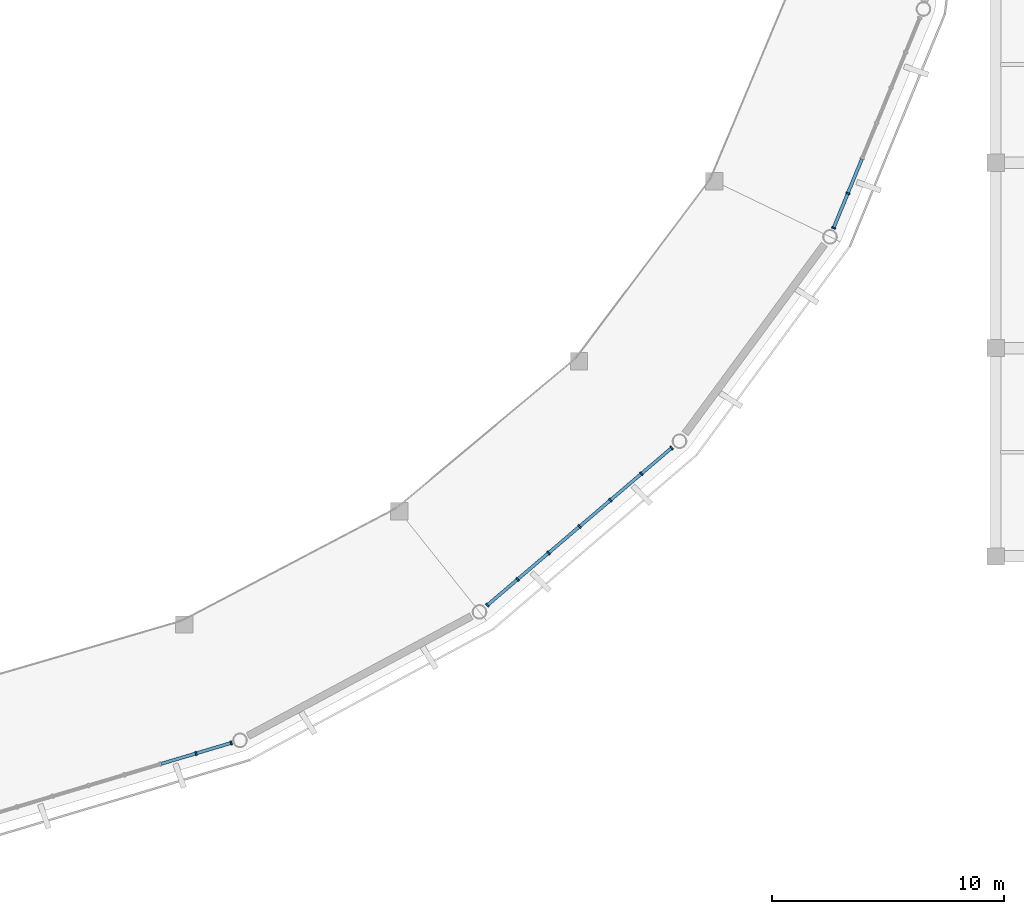
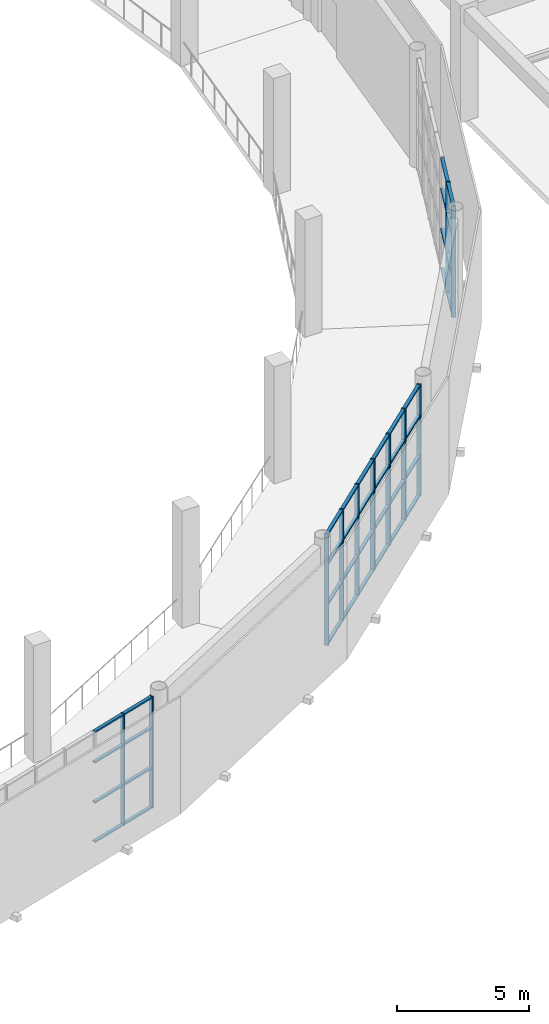
# One storey, part 14 of 40: 51 members, 3 elements without a shape of their own.
"""IFC4 building model written with IfcOpenShell, lengths in metres."""

from ifc_helpers import new_model, si_unit, direction, frame, origin, origin_2d, place, context, subcontext, project, spatial, rectangle, extrude, material, material_profile, profile_set, type_object, element, aggregate, save


model = new_model("IFC4")

# Units and contexts
model_context = context("Model", 3, precision=1e-05, world=origin(), true_north=direction((0.0, 1.0)))
body_context = subcontext(model_context, "Body", "Model", "MODEL_VIEW")
ifc_project = project(units=[si_unit("LENGTHUNIT", "METRE"), si_unit("AREAUNIT", "SQUARE_METRE"), si_unit("VOLUMEUNIT", "CUBIC_METRE"), si_unit("PLANEANGLEUNIT", "RADIAN"), si_unit("MASSUNIT", "GRAM", prefix="KILO")], contexts=[model_context])

# Site, building, storey
site_placement = place(None, origin())
site = spatial("IfcSite", under=ifc_project, at=site_placement, CompositionType="ELEMENT")
building_placement = place(site_placement, origin())
building = spatial("IfcBuilding", under=site, at=building_placement, Name="Cuetzalor Civic Arena", CompositionType="ELEMENT")
storey_placement = place(building_placement, frame((0.0, 0.0, 26.39990234375)))
storey = spatial("IfcBuildingStorey", under=building, at=storey_placement, Name="L05", CompositionType="ELEMENT", Elevation=26.39990234375)

# Curtain wall, members
ifc_material_1 = material(Name="Anodised dark bronze aluminium and low-E solar glass", Category="aluminium")
curtain_wall_type_1 = type_object("IfcCurtainWallType", Name="UnitisedCW_11300x5150", PredefinedType="USERDEFINED", material=ifc_material_1)
curtain_wall_1_placement = place(storey_placement, origin())
curtain_wall_1 = element("IfcCurtainWall", 1, at=curtain_wall_1_placement, inside=storey, type_object=curtain_wall_type_1, Name="Drum Triangle Foyer Curtain Wall L05-078", ObjectType="UNITISED CURTAIN WALL", PredefinedType="USERDEFINED")
ifc_material_2 = material(Name="Anodised dark bronze aluminium", Category="aluminium")
ifc_material_profile_1 = material_profile(ifc_material_2, rectangle(XDim=0.070068359375, YDim=0.179931640625, at=origin_2d()), Name="ALU MULLION 70x180")
ifc_profile_set_1 = profile_set([ifc_material_profile_1], Name="Anodised dark bronze aluminium")
member_type_1 = type_object("IfcMemberType", Name="CurtainWallMullion_65x180", PredefinedType="MULLION", material=ifc_profile_set_1)
member_1_placement = place(storey_placement, frame((23.28857421875, -42.053466796875, 0.0), z_axis=(0.0, 0.0, 1.0), x_axis=(-0.958193690548, -0.286120344251, 0.0)))
member_1 = element("IfcMember", 2, at=member_1_placement, type_object=member_type_1, Name="CW-21 mullion 1", PredefinedType="MULLION", context=body_context, shape_type="SweptSolid", body=[
    extrude(rectangle(XDim=0.070068359375, YDim=0.179931640625, at=origin_2d()), origin(), (0.0, 0.0, 1.0), 5.135986328125),
])
member_2_placement = place(storey_placement, frame((21.77392578125, -42.505859375, 0.0), z_axis=(0.0, 0.0, 1.0), x_axis=(-0.958193690548, -0.286120344251, 0.0)))
member_2 = element("IfcMember", 3, at=member_2_placement, type_object=member_type_1, Name="CW-21 mullion 2", PredefinedType="MULLION", context=body_context, shape_type="SweptSolid", body=[
    extrude(rectangle(XDim=0.070068359375, YDim=0.179931640625, at=origin_2d()), origin(), (0.0, 0.0, 1.0), 5.135986328125),
])

ifc_material_3 = material(Name="Anodised dark bronze aluminium and low-E solar glass", Category="aluminium")
curtain_wall_type_2 = type_object("IfcCurtainWallType", Name="UnitisedCW_10550x5150", PredefinedType="USERDEFINED", material=ifc_material_3)
curtain_wall_2_placement = place(storey_placement, origin())
curtain_wall_2 = element("IfcCurtainWall", 4, at=curtain_wall_2_placement, inside=storey, type_object=curtain_wall_type_2, Name="Drum Triangle Foyer Curtain Wall L05-079", ObjectType="UNITISED CURTAIN WALL", PredefinedType="USERDEFINED")
member_3_placement = place(storey_placement, frame((42.308837890625, -29.313720703125, 0.0), z_axis=(0.0, 0.0, 1.0), x_axis=(-0.760677142663, -0.64913040649, 0.0)))
member_3 = element("IfcMember", 5, at=member_3_placement, type_object=member_type_1, Name="CW-22 mullion 1", PredefinedType="MULLION", context=body_context, shape_type="SweptSolid", body=[
    extrude(rectangle(XDim=0.070068359375, YDim=0.179931640625, at=origin_2d()), origin(), (0.0, 0.0, 1.0), 5.135986328125),
])
member_4_placement = place(storey_placement, frame((41.00048828125, -30.43017578125, 0.0), z_axis=(0.0, 0.0, 1.0), x_axis=(-0.760677142663, -0.64913040649, 0.0)))
member_4 = element("IfcMember", 6, at=member_4_placement, type_object=member_type_1, Name="CW-22 mullion 2", PredefinedType="MULLION", context=body_context, shape_type="SweptSolid", body=[
    extrude(rectangle(XDim=0.070068359375, YDim=0.179931640625, at=origin_2d()), origin(), (0.0, 0.0, 1.0), 5.135986328125),
])
member_5_placement = place(storey_placement, frame((39.665283203125, -31.569580078125, 0.0), z_axis=(0.0, 0.0, 1.0), x_axis=(-0.760677142663, -0.64913040649, 0.0)))
member_5 = element("IfcMember", 7, at=member_5_placement, type_object=member_type_1, Name="CW-22 mullion 3", PredefinedType="MULLION", context=body_context, shape_type="SweptSolid", body=[
    extrude(rectangle(XDim=0.070068359375, YDim=0.179931640625, at=origin_2d()), origin(), (0.0, 0.0, 1.0), 5.135986328125),
])
member_6_placement = place(storey_placement, frame((38.330078125, -32.708984375, 0.0), z_axis=(0.0, 0.0, 1.0), x_axis=(-0.760677142663, -0.64913040649, 0.0)))
member_6 = element("IfcMember", 8, at=member_6_placement, type_object=member_type_1, Name="CW-22 mullion 4", PredefinedType="MULLION", context=body_context, shape_type="SweptSolid", body=[
    extrude(rectangle(XDim=0.070068359375, YDim=0.179931640625, at=origin_2d()), origin(), (0.0, 0.0, 1.0), 5.135986328125),
])
member_7_placement = place(storey_placement, frame((36.9951171875, -33.84814453125, 0.0), z_axis=(0.0, 0.0, 1.0), x_axis=(-0.760677142663, -0.64913040649, 0.0)))
member_7 = element("IfcMember", 9, at=member_7_placement, type_object=member_type_1, Name="CW-22 mullion 5", PredefinedType="MULLION", context=body_context, shape_type="SweptSolid", body=[
    extrude(rectangle(XDim=0.070068359375, YDim=0.179931640625, at=origin_2d()), origin(), (0.0, 0.0, 1.0), 5.135986328125),
])
member_8_placement = place(storey_placement, frame((35.659912109375, -34.987548828125, 0.0), z_axis=(0.0, 0.0, 1.0), x_axis=(-0.760677142663, -0.64913040649, 0.0)))
member_8 = element("IfcMember", 10, at=member_8_placement, type_object=member_type_1, Name="CW-22 mullion 6", PredefinedType="MULLION", context=body_context, shape_type="SweptSolid", body=[
    extrude(rectangle(XDim=0.070068359375, YDim=0.179931640625, at=origin_2d()), origin(), (0.0, 0.0, 1.0), 5.135986328125),
])
member_9_placement = place(storey_placement, frame((34.351318359375, -36.104248046875, 0.0), z_axis=(0.0, 0.0, 1.0), x_axis=(-0.760677142663, -0.64913040649, 0.0)))
member_9 = element("IfcMember", 11, at=member_9_placement, type_object=member_type_1, Name="CW-22 mullion 7", PredefinedType="MULLION", context=body_context, shape_type="SweptSolid", body=[
    extrude(rectangle(XDim=0.070068359375, YDim=0.179931640625, at=origin_2d()), origin(), (0.0, 0.0, 1.0), 5.135986328125),
])

ifc_material_4 = material(Name="Anodised dark bronze aluminium and low-E solar glass", Category="aluminium")
curtain_wall_type_3 = type_object("IfcCurtainWallType", Name="UnitisedCW_9850x5150", PredefinedType="USERDEFINED", material=ifc_material_4)
curtain_wall_3_placement = place(storey_placement, origin())
curtain_wall_3 = element("IfcCurtainWall", 12, at=curtain_wall_3_placement, inside=storey, type_object=curtain_wall_type_3, Name="Drum Triangle Foyer Curtain Wall L05-080", ObjectType="UNITISED CURTAIN WALL", PredefinedType="USERDEFINED")
member_10_placement = place(storey_placement, frame((49.916259765625, -18.3232421875, 0.0), z_axis=(0.0, 0.0, 1.0), x_axis=(-0.379391428583, -0.925236263836, 0.0)))
member_10 = element("IfcMember", 13, at=member_10_placement, type_object=member_type_1, Name="CW-23 mullion 6", PredefinedType="MULLION", context=body_context, shape_type="SweptSolid", body=[
    extrude(rectangle(XDim=0.070068359375, YDim=0.179931640625, at=origin_2d()), origin(), (0.0, 0.0, 1.0), 5.135986328125),
])
member_11_placement = place(storey_placement, frame((49.30517578125, -19.8134765625, 0.0), z_axis=(0.0, 0.0, 1.0), x_axis=(-0.379391428583, -0.925236263836, 0.0)))
member_11 = element("IfcMember", 14, at=member_11_placement, type_object=member_type_1, Name="CW-23 mullion 7", PredefinedType="MULLION", context=body_context, shape_type="SweptSolid", body=[
    extrude(rectangle(XDim=0.070068359375, YDim=0.179931640625, at=origin_2d()), origin(), (0.0, 0.0, 1.0), 5.135986328125),
])

# Member
ifc_material_5 = material(Name="Anodised dark bronze aluminium", Category="aluminium")
ifc_material_profile_2 = material_profile(ifc_material_5, rectangle(XDim=0.139892578125, YDim=0.070068359375, at=origin_2d()), Name="ALU TRANSOM 70x140")
ifc_profile_set_2 = profile_set([ifc_material_profile_2], Name="Anodised dark bronze aluminium")
member_type_2 = type_object("IfcMemberType", Name="CurtainWallTransom_65x140", PredefinedType="USERDEFINED", material=ifc_profile_set_2)
member_12_placement = place(storey_placement, frame((23.2548828125, -42.0634765625, 0.03515625), z_axis=(-0.958168093169, -0.286206053804, 0.0), x_axis=(0.286206053804, -0.958168093169, 0.0)))
member_12 = element("IfcMember", 15, at=member_12_placement, type_object=member_type_2, Name="CW-21 transom 1.1", ObjectType="TRANSOM", PredefinedType="USERDEFINED", context=body_context, shape_type="SweptSolid", body=[
    extrude(rectangle(XDim=0.139892578125, YDim=0.070068359375, at=origin_2d()), origin(), (0.0, 0.0, 1.0), 1.5107421875),
])

member_13_placement = place(storey_placement, frame((23.2548828125, -42.0634765625, 1.84912109375), z_axis=(-0.958168093169, -0.286206053804, 0.0), x_axis=(0.286206053804, -0.958168093169, 0.0)))
member_13 = element("IfcMember", 16, at=member_13_placement, type_object=member_type_2, Name="CW-21 transom 1.2", ObjectType="TRANSOM", PredefinedType="USERDEFINED", context=body_context, shape_type="SweptSolid", body=[
    extrude(rectangle(XDim=0.139892578125, YDim=0.070068359375, at=origin_2d()), origin(), (0.0, 0.0, 1.0), 1.5107421875),
])

member_14_placement = place(storey_placement, frame((23.2548828125, -42.0634765625, 3.697998046875), z_axis=(-0.958168093169, -0.286206053804, 0.0), x_axis=(0.286206053804, -0.958168093169, 0.0)))
member_14 = element("IfcMember", 17, at=member_14_placement, type_object=member_type_2, Name="CW-21 transom 1.3", ObjectType="TRANSOM", PredefinedType="USERDEFINED", context=body_context, shape_type="SweptSolid", body=[
    extrude(rectangle(XDim=0.139892578125, YDim=0.070068359375, at=origin_2d()), origin(), (0.0, 0.0, 1.0), 1.5107421875),
])

member_15_placement = place(storey_placement, frame((23.2548828125, -42.0634765625, 5.10107421875), z_axis=(-0.958168093169, -0.286206053804, 0.0), x_axis=(0.286206053804, -0.958168093169, 0.0)))
member_15 = element("IfcMember", 18, at=member_15_placement, type_object=member_type_2, Name="CW-21 transom 1.4", ObjectType="TRANSOM", PredefinedType="USERDEFINED", context=body_context, shape_type="SweptSolid", body=[
    extrude(rectangle(XDim=0.139892578125, YDim=0.070068359375, at=origin_2d()), origin(), (0.0, 0.0, 1.0), 1.5107421875),
])

member_16_placement = place(storey_placement, frame((21.740234375, -42.515869140625, 0.03515625), z_axis=(-0.958208027284, -0.286072327302, 0.0), x_axis=(0.286072327302, -0.958208027284, 0.0)))
member_16 = element("IfcMember", 19, at=member_16_placement, type_object=member_type_2, Name="CW-21 transom 2.1", ObjectType="TRANSOM", PredefinedType="USERDEFINED", context=body_context, shape_type="SweptSolid", body=[
    extrude(rectangle(XDim=0.139892578125, YDim=0.070068359375, at=origin_2d()), origin(), (0.0, 0.0, 1.0), 1.545654296875),
])

member_17_placement = place(storey_placement, frame((21.740234375, -42.515869140625, 1.84912109375), z_axis=(-0.958208027284, -0.286072327302, 0.0), x_axis=(0.286072327302, -0.958208027284, 0.0)))
member_17 = element("IfcMember", 20, at=member_17_placement, type_object=member_type_2, Name="CW-21 transom 2.2", ObjectType="TRANSOM", PredefinedType="USERDEFINED", context=body_context, shape_type="SweptSolid", body=[
    extrude(rectangle(XDim=0.139892578125, YDim=0.070068359375, at=origin_2d()), origin(), (0.0, 0.0, 1.0), 1.545654296875),
])

member_18_placement = place(storey_placement, frame((21.740234375, -42.515869140625, 3.697998046875), z_axis=(-0.958208027284, -0.286072327302, 0.0), x_axis=(0.286072327302, -0.958208027284, 0.0)))
member_18 = element("IfcMember", 21, at=member_18_placement, type_object=member_type_2, Name="CW-21 transom 2.3", ObjectType="TRANSOM", PredefinedType="USERDEFINED", context=body_context, shape_type="SweptSolid", body=[
    extrude(rectangle(XDim=0.139892578125, YDim=0.070068359375, at=origin_2d()), origin(), (0.0, 0.0, 1.0), 1.545654296875),
])

member_19_placement = place(storey_placement, frame((21.740234375, -42.515869140625, 5.10107421875), z_axis=(-0.958208027284, -0.286072327302, 0.0), x_axis=(0.286072327302, -0.958208027284, 0.0)))
member_19 = element("IfcMember", 22, at=member_19_placement, type_object=member_type_2, Name="CW-21 transom 2.4", ObjectType="TRANSOM", PredefinedType="USERDEFINED", context=body_context, shape_type="SweptSolid", body=[
    extrude(rectangle(XDim=0.139892578125, YDim=0.070068359375, at=origin_2d()), origin(), (0.0, 0.0, 1.0), 1.545654296875),
])

aggregate(curtain_wall_1, [member_1, member_2, member_12, member_13, member_14, member_15, member_16, member_17, member_18, member_19])

member_20_placement = place(storey_placement, frame((42.2822265625, -29.33642578125, 0.03515625), z_axis=(-0.760685671195, -0.64912041228, 0.0), x_axis=(0.64912041228, -0.760685671195, 0.0)))
member_20 = element("IfcMember", 23, at=member_20_placement, type_object=member_type_2, Name="CW-22 transom 1.1", ObjectType="TRANSOM", PredefinedType="USERDEFINED", context=body_context, shape_type="SweptSolid", body=[
    extrude(rectangle(XDim=0.139892578125, YDim=0.070068359375, at=origin_2d()), origin(), (0.0, 0.0, 1.0), 1.64990234375),
])

member_21_placement = place(storey_placement, frame((42.2822265625, -29.33642578125, 1.84912109375), z_axis=(-0.760685671195, -0.64912041228, 0.0), x_axis=(0.64912041228, -0.760685671195, 0.0)))
member_21 = element("IfcMember", 24, at=member_21_placement, type_object=member_type_2, Name="CW-22 transom 1.2", ObjectType="TRANSOM", PredefinedType="USERDEFINED", context=body_context, shape_type="SweptSolid", body=[
    extrude(rectangle(XDim=0.139892578125, YDim=0.070068359375, at=origin_2d()), origin(), (0.0, 0.0, 1.0), 1.64990234375),
])

member_22_placement = place(storey_placement, frame((42.2822265625, -29.33642578125, 3.697998046875), z_axis=(-0.760685671195, -0.64912041228, 0.0), x_axis=(0.64912041228, -0.760685671195, 0.0)))
member_22 = element("IfcMember", 25, at=member_22_placement, type_object=member_type_2, Name="CW-22 transom 1.3", ObjectType="TRANSOM", PredefinedType="USERDEFINED", context=body_context, shape_type="SweptSolid", body=[
    extrude(rectangle(XDim=0.139892578125, YDim=0.070068359375, at=origin_2d()), origin(), (0.0, 0.0, 1.0), 1.64990234375),
])

member_23_placement = place(storey_placement, frame((42.2822265625, -29.33642578125, 5.10107421875), z_axis=(-0.760685671195, -0.64912041228, 0.0), x_axis=(0.64912041228, -0.760685671195, 0.0)))
member_23 = element("IfcMember", 26, at=member_23_placement, type_object=member_type_2, Name="CW-22 transom 1.4", ObjectType="TRANSOM", PredefinedType="USERDEFINED", context=body_context, shape_type="SweptSolid", body=[
    extrude(rectangle(XDim=0.139892578125, YDim=0.070068359375, at=origin_2d()), origin(), (0.0, 0.0, 1.0), 1.64990234375),
])

member_24_placement = place(storey_placement, frame((40.973876953125, -30.452880859375, 0.03515625), z_axis=(-0.760676154185, -0.649131564826, 0.0), x_axis=(0.649131564826, -0.760676154185, 0.0)))
member_24 = element("IfcMember", 27, at=member_24_placement, type_object=member_type_2, Name="CW-22 transom 2.1", ObjectType="TRANSOM", PredefinedType="USERDEFINED", context=body_context, shape_type="SweptSolid", body=[
    extrude(rectangle(XDim=0.139892578125, YDim=0.070068359375, at=origin_2d()), origin(), (0.0, 0.0, 1.0), 1.685302734375),
])

member_25_placement = place(storey_placement, frame((40.973876953125, -30.452880859375, 1.84912109375), z_axis=(-0.760676154185, -0.649131564826, 0.0), x_axis=(0.649131564826, -0.760676154185, 0.0)))
member_25 = element("IfcMember", 28, at=member_25_placement, type_object=member_type_2, Name="CW-22 transom 2.2", ObjectType="TRANSOM", PredefinedType="USERDEFINED", context=body_context, shape_type="SweptSolid", body=[
    extrude(rectangle(XDim=0.139892578125, YDim=0.070068359375, at=origin_2d()), origin(), (0.0, 0.0, 1.0), 1.685302734375),
])

member_26_placement = place(storey_placement, frame((40.973876953125, -30.452880859375, 3.697998046875), z_axis=(-0.760676154185, -0.649131564826, 0.0), x_axis=(0.649131564826, -0.760676154185, 0.0)))
member_26 = element("IfcMember", 29, at=member_26_placement, type_object=member_type_2, Name="CW-22 transom 2.3", ObjectType="TRANSOM", PredefinedType="USERDEFINED", context=body_context, shape_type="SweptSolid", body=[
    extrude(rectangle(XDim=0.139892578125, YDim=0.070068359375, at=origin_2d()), origin(), (0.0, 0.0, 1.0), 1.685302734375),
])

member_27_placement = place(storey_placement, frame((40.973876953125, -30.452880859375, 5.10107421875), z_axis=(-0.760676154185, -0.649131564826, 0.0), x_axis=(0.649131564826, -0.760676154185, 0.0)))
member_27 = element("IfcMember", 30, at=member_27_placement, type_object=member_type_2, Name="CW-22 transom 2.4", ObjectType="TRANSOM", PredefinedType="USERDEFINED", context=body_context, shape_type="SweptSolid", body=[
    extrude(rectangle(XDim=0.139892578125, YDim=0.070068359375, at=origin_2d()), origin(), (0.0, 0.0, 1.0), 1.685302734375),
])

member_28_placement = place(storey_placement, frame((39.638671875, -31.59228515625, 0.03515625), z_axis=(-0.760676154185, -0.649131564826, 0.0), x_axis=(0.649131564826, -0.760676154185, 0.0)))
member_28 = element("IfcMember", 31, at=member_28_placement, type_object=member_type_2, Name="CW-22 transom 3.1", ObjectType="TRANSOM", PredefinedType="USERDEFINED", context=body_context, shape_type="SweptSolid", body=[
    extrude(rectangle(XDim=0.139892578125, YDim=0.070068359375, at=origin_2d()), origin(), (0.0, 0.0, 1.0), 1.685302734375),
])

member_29_placement = place(storey_placement, frame((39.638671875, -31.59228515625, 1.84912109375), z_axis=(-0.760676154185, -0.649131564826, 0.0), x_axis=(0.649131564826, -0.760676154185, 0.0)))
member_29 = element("IfcMember", 32, at=member_29_placement, type_object=member_type_2, Name="CW-22 transom 3.2", ObjectType="TRANSOM", PredefinedType="USERDEFINED", context=body_context, shape_type="SweptSolid", body=[
    extrude(rectangle(XDim=0.139892578125, YDim=0.070068359375, at=origin_2d()), origin(), (0.0, 0.0, 1.0), 1.685302734375),
])

member_30_placement = place(storey_placement, frame((39.638671875, -31.59228515625, 3.697998046875), z_axis=(-0.760676154185, -0.649131564826, 0.0), x_axis=(0.649131564826, -0.760676154185, 0.0)))
member_30 = element("IfcMember", 33, at=member_30_placement, type_object=member_type_2, Name="CW-22 transom 3.3", ObjectType="TRANSOM", PredefinedType="USERDEFINED", context=body_context, shape_type="SweptSolid", body=[
    extrude(rectangle(XDim=0.139892578125, YDim=0.070068359375, at=origin_2d()), origin(), (0.0, 0.0, 1.0), 1.685302734375),
])

member_31_placement = place(storey_placement, frame((39.638671875, -31.59228515625, 5.10107421875), z_axis=(-0.760676154185, -0.649131564826, 0.0), x_axis=(0.649131564826, -0.760676154185, 0.0)))
member_31 = element("IfcMember", 34, at=member_31_placement, type_object=member_type_2, Name="CW-22 transom 3.4", ObjectType="TRANSOM", PredefinedType="USERDEFINED", context=body_context, shape_type="SweptSolid", body=[
    extrude(rectangle(XDim=0.139892578125, YDim=0.070068359375, at=origin_2d()), origin(), (0.0, 0.0, 1.0), 1.685302734375),
])

member_32_placement = place(storey_placement, frame((38.303466796875, -32.731689453125, 0.03515625), z_axis=(-0.760686645348, -0.649119270697, 0.0), x_axis=(0.649119270697, -0.760686645348, 0.0)))
member_32 = element("IfcMember", 35, at=member_32_placement, type_object=member_type_2, Name="CW-22 transom 4.1", ObjectType="TRANSOM", PredefinedType="USERDEFINED", context=body_context, shape_type="SweptSolid", body=[
    extrude(rectangle(XDim=0.139892578125, YDim=0.070068359375, at=origin_2d()), origin(), (0.0, 0.0, 1.0), 1.68505859375),
])

member_33_placement = place(storey_placement, frame((38.303466796875, -32.731689453125, 1.84912109375), z_axis=(-0.760686645348, -0.649119270697, 0.0), x_axis=(0.649119270697, -0.760686645348, 0.0)))
member_33 = element("IfcMember", 36, at=member_33_placement, type_object=member_type_2, Name="CW-22 transom 4.2", ObjectType="TRANSOM", PredefinedType="USERDEFINED", context=body_context, shape_type="SweptSolid", body=[
    extrude(rectangle(XDim=0.139892578125, YDim=0.070068359375, at=origin_2d()), origin(), (0.0, 0.0, 1.0), 1.68505859375),
])

member_34_placement = place(storey_placement, frame((38.303466796875, -32.731689453125, 3.697998046875), z_axis=(-0.760686645348, -0.649119270697, 0.0), x_axis=(0.649119270697, -0.760686645348, 0.0)))
member_34 = element("IfcMember", 37, at=member_34_placement, type_object=member_type_2, Name="CW-22 transom 4.3", ObjectType="TRANSOM", PredefinedType="USERDEFINED", context=body_context, shape_type="SweptSolid", body=[
    extrude(rectangle(XDim=0.139892578125, YDim=0.070068359375, at=origin_2d()), origin(), (0.0, 0.0, 1.0), 1.68505859375),
])

member_35_placement = place(storey_placement, frame((38.303466796875, -32.731689453125, 5.10107421875), z_axis=(-0.760686645348, -0.649119270697, 0.0), x_axis=(0.649119270697, -0.760686645348, 0.0)))
member_35 = element("IfcMember", 38, at=member_35_placement, type_object=member_type_2, Name="CW-22 transom 4.4", ObjectType="TRANSOM", PredefinedType="USERDEFINED", context=body_context, shape_type="SweptSolid", body=[
    extrude(rectangle(XDim=0.139892578125, YDim=0.070068359375, at=origin_2d()), origin(), (0.0, 0.0, 1.0), 1.68505859375),
])

member_36_placement = place(storey_placement, frame((36.968505859375, -33.870849609375, 0.03515625), z_axis=(-0.760676154185, -0.649131564826, 0.0), x_axis=(0.649131564826, -0.760676154185, 0.0)))
member_36 = element("IfcMember", 39, at=member_36_placement, type_object=member_type_2, Name="CW-22 transom 5.1", ObjectType="TRANSOM", PredefinedType="USERDEFINED", context=body_context, shape_type="SweptSolid", body=[
    extrude(rectangle(XDim=0.139892578125, YDim=0.070068359375, at=origin_2d()), origin(), (0.0, 0.0, 1.0), 1.685302734375),
])

member_37_placement = place(storey_placement, frame((36.968505859375, -33.870849609375, 1.84912109375), z_axis=(-0.760676154185, -0.649131564826, 0.0), x_axis=(0.649131564826, -0.760676154185, 0.0)))
member_37 = element("IfcMember", 40, at=member_37_placement, type_object=member_type_2, Name="CW-22 transom 5.2", ObjectType="TRANSOM", PredefinedType="USERDEFINED", context=body_context, shape_type="SweptSolid", body=[
    extrude(rectangle(XDim=0.139892578125, YDim=0.070068359375, at=origin_2d()), origin(), (0.0, 0.0, 1.0), 1.685302734375),
])

member_38_placement = place(storey_placement, frame((36.968505859375, -33.870849609375, 3.697998046875), z_axis=(-0.760676154185, -0.649131564826, 0.0), x_axis=(0.649131564826, -0.760676154185, 0.0)))
member_38 = element("IfcMember", 41, at=member_38_placement, type_object=member_type_2, Name="CW-22 transom 5.3", ObjectType="TRANSOM", PredefinedType="USERDEFINED", context=body_context, shape_type="SweptSolid", body=[
    extrude(rectangle(XDim=0.139892578125, YDim=0.070068359375, at=origin_2d()), origin(), (0.0, 0.0, 1.0), 1.685302734375),
])

member_39_placement = place(storey_placement, frame((36.968505859375, -33.870849609375, 5.10107421875), z_axis=(-0.760676154185, -0.649131564826, 0.0), x_axis=(0.649131564826, -0.760676154185, 0.0)))
member_39 = element("IfcMember", 42, at=member_39_placement, type_object=member_type_2, Name="CW-22 transom 5.4", ObjectType="TRANSOM", PredefinedType="USERDEFINED", context=body_context, shape_type="SweptSolid", body=[
    extrude(rectangle(XDim=0.139892578125, YDim=0.070068359375, at=origin_2d()), origin(), (0.0, 0.0, 1.0), 1.685302734375),
])

member_40_placement = place(storey_placement, frame((35.63330078125, -35.01025390625, 0.03515625), z_axis=(-0.76067495784, -0.649132966745, 0.0), x_axis=(0.649132966745, -0.76067495784, 0.0)))
member_40 = element("IfcMember", 43, at=member_40_placement, type_object=member_type_2, Name="CW-22 transom 6.1", ObjectType="TRANSOM", PredefinedType="USERDEFINED", context=body_context, shape_type="SweptSolid", body=[
    extrude(rectangle(XDim=0.139892578125, YDim=0.070068359375, at=origin_2d()), origin(), (0.0, 0.0, 1.0), 1.650390625),
])

member_41_placement = place(storey_placement, frame((35.63330078125, -35.01025390625, 1.84912109375), z_axis=(-0.76067495784, -0.649132966745, 0.0), x_axis=(0.649132966745, -0.76067495784, 0.0)))
member_41 = element("IfcMember", 44, at=member_41_placement, type_object=member_type_2, Name="CW-22 transom 6.2", ObjectType="TRANSOM", PredefinedType="USERDEFINED", context=body_context, shape_type="SweptSolid", body=[
    extrude(rectangle(XDim=0.139892578125, YDim=0.070068359375, at=origin_2d()), origin(), (0.0, 0.0, 1.0), 1.650390625),
])

member_42_placement = place(storey_placement, frame((35.63330078125, -35.01025390625, 3.697998046875), z_axis=(-0.76067495784, -0.649132966745, 0.0), x_axis=(0.649132966745, -0.76067495784, 0.0)))
member_42 = element("IfcMember", 45, at=member_42_placement, type_object=member_type_2, Name="CW-22 transom 6.3", ObjectType="TRANSOM", PredefinedType="USERDEFINED", context=body_context, shape_type="SweptSolid", body=[
    extrude(rectangle(XDim=0.139892578125, YDim=0.070068359375, at=origin_2d()), origin(), (0.0, 0.0, 1.0), 1.650390625),
])

member_43_placement = place(storey_placement, frame((35.63330078125, -35.01025390625, 5.10107421875), z_axis=(-0.76067495784, -0.649132966745, 0.0), x_axis=(0.649132966745, -0.76067495784, 0.0)))
member_43 = element("IfcMember", 46, at=member_43_placement, type_object=member_type_2, Name="CW-22 transom 6.4", ObjectType="TRANSOM", PredefinedType="USERDEFINED", context=body_context, shape_type="SweptSolid", body=[
    extrude(rectangle(XDim=0.139892578125, YDim=0.070068359375, at=origin_2d()), origin(), (0.0, 0.0, 1.0), 1.650390625),
])

aggregate(curtain_wall_2, [member_3, member_4, member_5, member_6, member_7, member_8, member_9, member_20, member_21, member_22, member_23, member_24, member_25, member_26, member_27, member_28, member_29, member_30, member_31, member_32, member_33, member_34, member_35, member_36, member_37, member_38, member_39, member_40, member_41, member_42, member_43])

member_44_placement = place(storey_placement, frame((50.52734375, -16.832763671875, 0.03515625), z_axis=(-0.379284307452, -0.925280181416, 0.0), x_axis=(0.925280181416, -0.379284307452, 0.0)))
member_44 = element("IfcMember", 47, at=member_44_placement, type_object=member_type_2, Name="CW-23 transom 5.1", ObjectType="TRANSOM", PredefinedType="USERDEFINED", context=body_context, shape_type="SweptSolid", body=[
    extrude(rectangle(XDim=0.139892578125, YDim=0.070068359375, at=origin_2d()), origin(), (0.0, 0.0, 1.0), 1.57568359375),
])

member_45_placement = place(storey_placement, frame((50.52734375, -16.832763671875, 1.84912109375), z_axis=(-0.379284307452, -0.925280181416, 0.0), x_axis=(0.925280181416, -0.379284307452, 0.0)))
member_45 = element("IfcMember", 48, at=member_45_placement, type_object=member_type_2, Name="CW-23 transom 5.2", ObjectType="TRANSOM", PredefinedType="USERDEFINED", context=body_context, shape_type="SweptSolid", body=[
    extrude(rectangle(XDim=0.139892578125, YDim=0.070068359375, at=origin_2d()), origin(), (0.0, 0.0, 1.0), 1.57568359375),
])

member_46_placement = place(storey_placement, frame((50.52734375, -16.832763671875, 3.697998046875), z_axis=(-0.379284307452, -0.925280181416, 0.0), x_axis=(0.925280181416, -0.379284307452, 0.0)))
member_46 = element("IfcMember", 49, at=member_46_placement, type_object=member_type_2, Name="CW-23 transom 5.3", ObjectType="TRANSOM", PredefinedType="USERDEFINED", context=body_context, shape_type="SweptSolid", body=[
    extrude(rectangle(XDim=0.139892578125, YDim=0.070068359375, at=origin_2d()), origin(), (0.0, 0.0, 1.0), 1.57568359375),
])

member_47_placement = place(storey_placement, frame((50.52734375, -16.832763671875, 5.10107421875), z_axis=(-0.379284307452, -0.925280181416, 0.0), x_axis=(0.925280181416, -0.379284307452, 0.0)))
member_47 = element("IfcMember", 50, at=member_47_placement, type_object=member_type_2, Name="CW-23 transom 5.4", ObjectType="TRANSOM", PredefinedType="USERDEFINED", context=body_context, shape_type="SweptSolid", body=[
    extrude(rectangle(XDim=0.139892578125, YDim=0.070068359375, at=origin_2d()), origin(), (0.0, 0.0, 1.0), 1.57568359375),
])

member_48_placement = place(storey_placement, frame((49.903076171875, -18.35546875, 0.03515625), z_axis=(-0.379354637702, -0.925251349015, 0.0), x_axis=(0.925251349015, -0.379354637702, 0.0)))
member_48 = element("IfcMember", 51, at=member_48_placement, type_object=member_type_2, Name="CW-23 transom 6.1", ObjectType="TRANSOM", PredefinedType="USERDEFINED", context=body_context, shape_type="SweptSolid", body=[
    extrude(rectangle(XDim=0.139892578125, YDim=0.070068359375, at=origin_2d()), origin(), (0.0, 0.0, 1.0), 1.540771484375),
])

member_49_placement = place(storey_placement, frame((49.903076171875, -18.35546875, 1.84912109375), z_axis=(-0.379354637702, -0.925251349015, 0.0), x_axis=(0.925251349015, -0.379354637702, 0.0)))
member_49 = element("IfcMember", 52, at=member_49_placement, type_object=member_type_2, Name="CW-23 transom 6.2", ObjectType="TRANSOM", PredefinedType="USERDEFINED", context=body_context, shape_type="SweptSolid", body=[
    extrude(rectangle(XDim=0.139892578125, YDim=0.070068359375, at=origin_2d()), origin(), (0.0, 0.0, 1.0), 1.540771484375),
])

member_50_placement = place(storey_placement, frame((49.903076171875, -18.35546875, 3.697998046875), z_axis=(-0.379354637702, -0.925251349015, 0.0), x_axis=(0.925251349015, -0.379354637702, 0.0)))
member_50 = element("IfcMember", 53, at=member_50_placement, type_object=member_type_2, Name="CW-23 transom 6.3", ObjectType="TRANSOM", PredefinedType="USERDEFINED", context=body_context, shape_type="SweptSolid", body=[
    extrude(rectangle(XDim=0.139892578125, YDim=0.070068359375, at=origin_2d()), origin(), (0.0, 0.0, 1.0), 1.540771484375),
])

member_51_placement = place(storey_placement, frame((49.903076171875, -18.35546875, 5.10107421875), z_axis=(-0.379354637702, -0.925251349015, 0.0), x_axis=(0.925251349015, -0.379354637702, 0.0)))
member_51 = element("IfcMember", 54, at=member_51_placement, type_object=member_type_2, Name="CW-23 transom 6.4", ObjectType="TRANSOM", PredefinedType="USERDEFINED", context=body_context, shape_type="SweptSolid", body=[
    extrude(rectangle(XDim=0.139892578125, YDim=0.070068359375, at=origin_2d()), origin(), (0.0, 0.0, 1.0), 1.540771484375),
])

aggregate(curtain_wall_3, [member_10, member_11, member_44, member_45, member_46, member_47, member_48, member_49, member_50, member_51])

save(model, "model.ifc")
